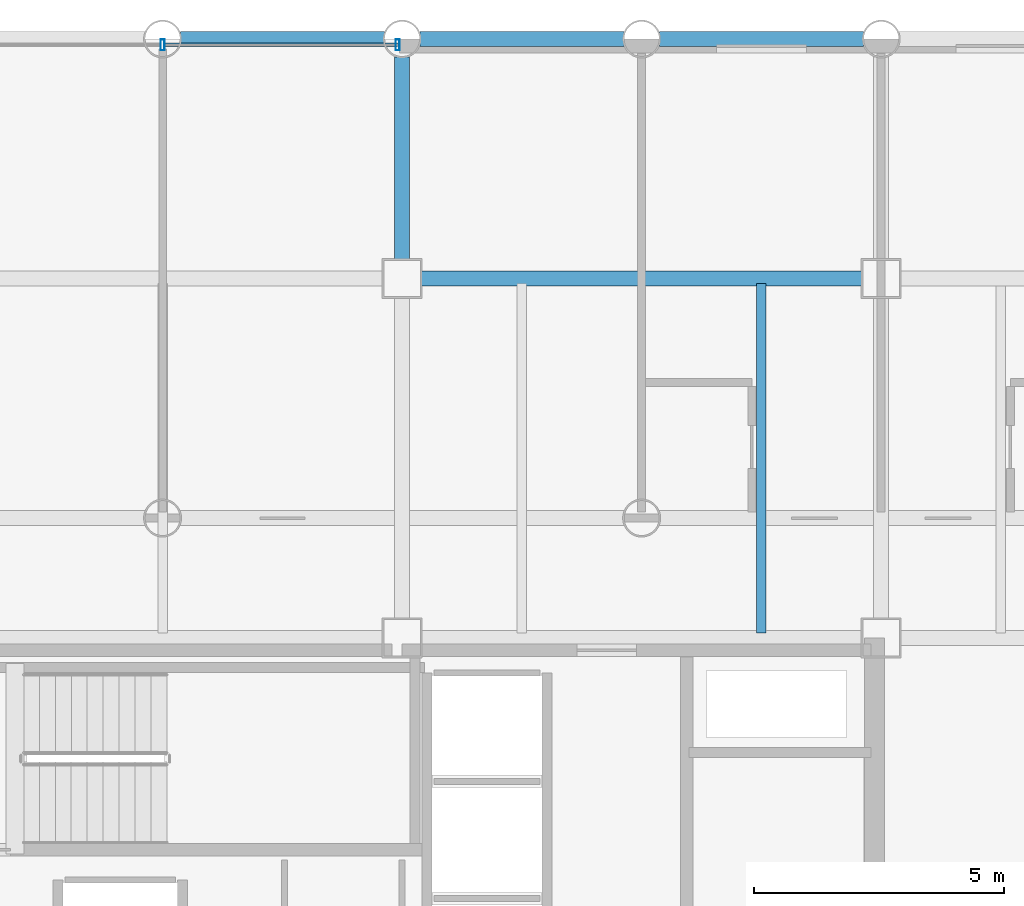
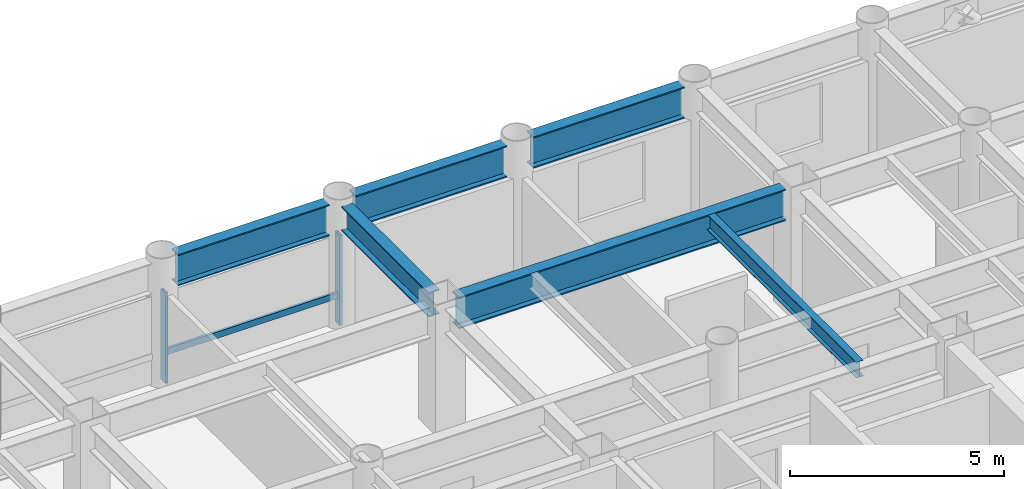
# One storey, part 12 of 21: 6 beams, 3 members, 1 element without a shape of its own.
"""IFC4 building model written with IfcOpenShell, lengths in metres."""

from ifc_helpers import new_model, si_unit, direction, frame, origin, origin_2d, place, context, subcontext, project, spatial, hollow_rectangle, i_section, extrude, material, layer, layer_set, material_profile, profile_set, type_object, element, aggregate, save


model = new_model("IFC4")

# Units and contexts
model_context = context("Model", 3, precision=1e-05, world=origin(), true_north=direction((0.0, 1.0)))
body_context = subcontext(model_context, "Body", "Model", "MODEL_VIEW")
ifc_project = project(units=[si_unit("LENGTHUNIT", "METRE"), si_unit("AREAUNIT", "SQUARE_METRE"), si_unit("VOLUMEUNIT", "CUBIC_METRE"), si_unit("PLANEANGLEUNIT", "RADIAN"), si_unit("MASSUNIT", "GRAM", prefix="KILO")], contexts=[model_context])

# Site, building, storey
site_placement = place(None, origin())
site = spatial("IfcSite", under=ifc_project, at=site_placement, CompositionType="ELEMENT")
building_placement = place(site_placement, origin())
building = spatial("IfcBuilding", under=site, at=building_placement, Name="Kallvorn Hotel Tower", CompositionType="ELEMENT")
storey_placement = place(building_placement, frame((0.0, 0.0, 44.800048828125)))
storey = spatial("IfcBuildingStorey", under=building, at=storey_placement, Name="L09", CompositionType="ELEMENT", Elevation=44.800048828125)

# Beams
ifc_material_1 = material(Name="Structural steel S355JR", Category="steel")
ifc_material_profile_1 = material_profile(ifc_material_1, i_section(OverallWidth=0.300048828125, OverallDepth=0.699951171875, WebThickness=0.01708984375, FlangeThickness=0.031982421875, at=origin_2d()), Name="HE 700 B")
ifc_profile_set_1 = profile_set([ifc_material_profile_1], Name="Structural steel S355JR")
beam_type_1 = type_object("IfcBeamType", Name="BM_HE700B", PredefinedType="BEAM", material=ifc_profile_set_1)
beam_1_placement = place(storey_placement, frame((4.800048828125, 14.77490234375, 3.169921875), z_axis=(0.0, 1.0, 0.0), x_axis=(-1.0, 0.0, 0.0)))
element("IfcBeam", 1, at=beam_1_placement, inside=storey, type_object=beam_type_1, Name="L10 Primary Y-Girder 118", PredefinedType="BEAM", context=body_context, shape_type="SweptSolid", body=[
    extrude(i_section(OverallWidth=0.300048828125, OverallDepth=0.699951171875, WebThickness=0.01708984375, FlangeThickness=0.031982421875, at=origin_2d()), origin(), (0.0, 0.0, 1.0), 4.069091796875),
])
ifc_material_2 = material(Name="Structural steel S355JR", Category="steel")
ifc_material_profile_2 = material_profile(ifc_material_2, i_section(OverallWidth=0.300048828125, OverallDepth=0.89990234375, WebThickness=0.0185546875, FlangeThickness=0.034912109375, at=origin_2d()), Name="HE 900 B")
ifc_profile_set_2 = profile_set([ifc_material_profile_2], Name="Structural steel S355JR")
beam_type_2 = type_object("IfcBeamType", Name="BM_HE900B", PredefinedType="BEAM", material=ifc_profile_set_2)
beam_2_placement = place(storey_placement, frame((5.175048828125, 14.39990234375, 3.070068359375), z_axis=(1.0, 0.0, 0.0), x_axis=(0.0, 1.0, 0.0)))
element("IfcBeam", 2, at=beam_2_placement, inside=storey, type_object=beam_type_2, Name="L10 Primary X-Girder 57", PredefinedType="BEAM", context=body_context, shape_type="SweptSolid", body=[
    extrude(i_section(OverallWidth=0.300048828125, OverallDepth=0.89990234375, WebThickness=0.0185546875, FlangeThickness=0.034912109375, at=origin_2d()), origin(), (0.0, 0.0, 1.0), 8.849853515625),
])
beam_3_placement = place(storey_placement, frame((0.35595703125, 19.199951171875, 3.070068359375), z_axis=(1.0, 0.0, 0.0), x_axis=(0.0, 1.0, 0.0)))
element("IfcBeam", 3, at=beam_3_placement, inside=storey, type_object=beam_type_2, Name="L10 Primary X-Girder 67", PredefinedType="BEAM", context=body_context, shape_type="SweptSolid", body=[
    extrude(i_section(OverallWidth=0.300048828125, OverallDepth=0.89990234375, WebThickness=0.0185546875, FlangeThickness=0.034912109375, at=origin_2d()), origin(), (0.0, 0.0, 1.0), 4.088134765625),
])
for number, where, z_axis, x_axis, name in (
    (4, (5.156005859375, 19.199951171875, 3.070068359375), (1.0, 0.0, 0.0), (0.0, 1.0, 0.0), "L10 Primary X-Girder 68"),
    (5, (9.9560546875, 19.199951171875, 3.070068359375), (1.0, 0.0, 0.0), (0.0, 1.0, 0.0), "L10 Primary X-Girder 69"),
):
    element("IfcBeam", number, at=place(storey_placement, frame(where, z_axis=z_axis, x_axis=x_axis)), inside=storey, type_object=beam_type_2, Name=name, PredefinedType="BEAM", context=body_context, shape_type="SweptSolid", body=[
        extrude(i_section(OverallWidth=0.300048828125, OverallDepth=0.89990234375, WebThickness=0.0185546875, FlangeThickness=0.034912109375, at=origin_2d()), origin(), (0.0, 0.0, 1.0), 4.087890625),
    ])
ifc_material_3 = material(Name="Structural steel S355JR", Category="steel")
ifc_material_profile_3 = material_profile(ifc_material_3, i_section(OverallWidth=0.18994140625, OverallDepth=0.449951171875, WebThickness=0.009521484375, FlangeThickness=0.0146484375, at=origin_2d()), Name="IPE 450")
ifc_profile_set_3 = profile_set([ifc_material_profile_3], Name="Structural steel S355JR")
beam_type_3 = type_object("IfcBeamType", Name="BM_IPE450", PredefinedType="JOIST", material=ifc_profile_set_3)
beam_4_placement = place(storey_placement, frame((12.0, 7.300048828125, 3.294921875), z_axis=(0.0, 1.0, 0.0), x_axis=(-1.0, 0.0, 0.0)))
element("IfcBeam", 6, at=beam_4_placement, inside=storey, type_object=beam_type_3, Name="L10 Secondary Composite Joist 205", PredefinedType="JOIST", context=body_context, shape_type="SweptSolid", body=[
    extrude(i_section(OverallWidth=0.18994140625, OverallDepth=0.449951171875, WebThickness=0.009521484375, FlangeThickness=0.0146484375, at=origin_2d()), origin(), (0.0, 0.0, 1.0), 7.0),
])

# Curtain wall, members
ifc_material_4 = material(Name="Thermally broken black-anodised aluminium AA 6063-T6", Category="aluminium")
ifc_layer = layer(ifc_material_4, 0.199951171875)
ifc_layer_set = layer_set([ifc_layer], Name="CW_SYS_3_HOTEL_LOW")
curtain_wall_type = type_object("IfcCurtainWallType", Name="CW_SYS_3_HOTEL_LOW", PredefinedType="USERDEFINED", material=ifc_layer_set)
curtain_wall_placement = place(storey_placement, origin())
curtain_wall = element("IfcCurtainWall", 7, at=curtain_wall_placement, inside=storey, type_object=curtain_wall_type, Name="L09 Dark-Glass Curtain Wall CW-L09-NC", ObjectType="UNITISED CURTAIN WALL", PredefinedType="USERDEFINED")
ifc_material_5 = material(Name="Thermally broken black-anodised aluminium AA 6063-T6", Category="aluminium")
ifc_material_profile_4 = material_profile(ifc_material_5, hollow_rectangle(XDim=0.080078125, YDim=0.219970703125, WallThickness=0.0048828125, at=origin_2d()), Name="MUL 220x80")
ifc_profile_set_4 = profile_set([ifc_material_profile_4], Name="Thermally broken black-anodised aluminium AA 6063-T6")
member_type_1 = type_object("IfcMemberType", Name="CW_MULLION_220x80", PredefinedType="MULLION", material=ifc_profile_set_4)
member_1_placement = place(storey_placement, frame((0.0, 19.080078125, 0.02001953125), z_axis=(0.0, 0.0, 1.0), x_axis=(1.0, 0.0, 0.0)))
member_1 = element("IfcMember", 8, at=member_1_placement, type_object=member_type_1, Name="CW-L09-NC Mullion 01", PredefinedType="MULLION", context=body_context, shape_type="SweptSolid", body=[
    extrude(hollow_rectangle(XDim=0.080078125, YDim=0.219970703125, WallThickness=0.0048828125, at=origin_2d()), origin(), (0.0, 0.0, 1.0), 2.579833984375),
])
member_2_placement = place(storey_placement, frame((4.7099609375, 19.080078125, 0.02001953125), z_axis=(0.0, 0.0, 1.0), x_axis=(1.0, 0.0, 0.0)))
member_2 = element("IfcMember", 9, at=member_2_placement, type_object=member_type_1, Name="CW-L09-NC Mullion 02", PredefinedType="MULLION", context=body_context, shape_type="SweptSolid", body=[
    extrude(hollow_rectangle(XDim=0.080078125, YDim=0.219970703125, WallThickness=0.0048828125, at=origin_2d()), origin(), (0.0, 0.0, 1.0), 2.579833984375),
])
ifc_material_6 = material(Name="Thermally broken black-anodised aluminium AA 6063-T6", Category="aluminium")
ifc_material_profile_5 = material_profile(ifc_material_6, hollow_rectangle(XDim=0.070068359375, YDim=0.179931640625, WallThickness=0.00390625, at=origin_2d()), Name="TRN 180x70")
ifc_profile_set_5 = profile_set([ifc_material_profile_5], Name="Thermally broken black-anodised aluminium AA 6063-T6")
member_type_2 = type_object("IfcMemberType", Name="CW_TRANSOM_180x70", PredefinedType="USERDEFINED", material=ifc_profile_set_5)
member_3_placement = place(storey_placement, frame((0.0400390625, 19.080078125, 0.849853515625), z_axis=(1.0, 0.0, 0.0), x_axis=(0.0, 1.0, 0.0)))
member_3 = element("IfcMember", 10, at=member_3_placement, type_object=member_type_2, Name="CW-L09-NC Transom 01M", ObjectType="TRANSOM", PredefinedType="USERDEFINED", context=body_context, shape_type="SweptSolid", body=[
    extrude(hollow_rectangle(XDim=0.070068359375, YDim=0.179931640625, WallThickness=0.00390625, at=origin_2d()), origin(), (0.0, 0.0, 1.0), 4.669921875),
])
aggregate(curtain_wall, [member_1, member_2, member_3])

save(model, "model.ifc")
